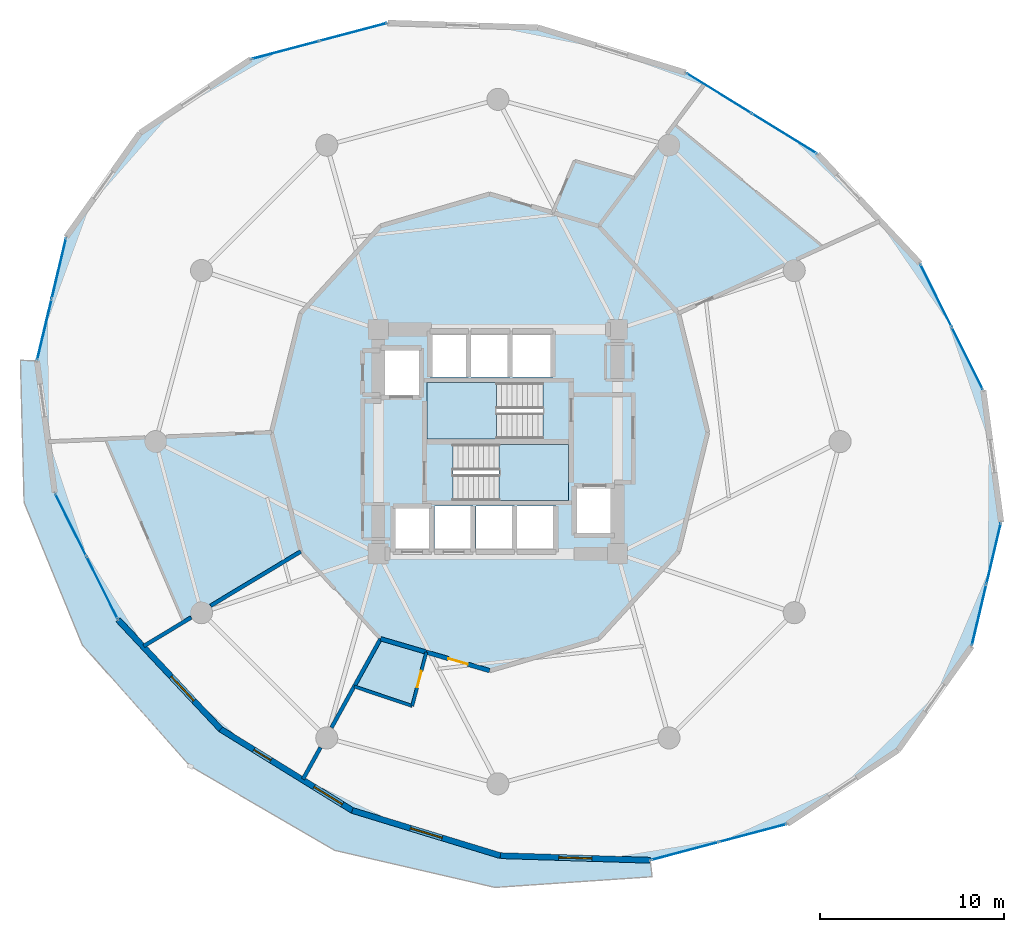
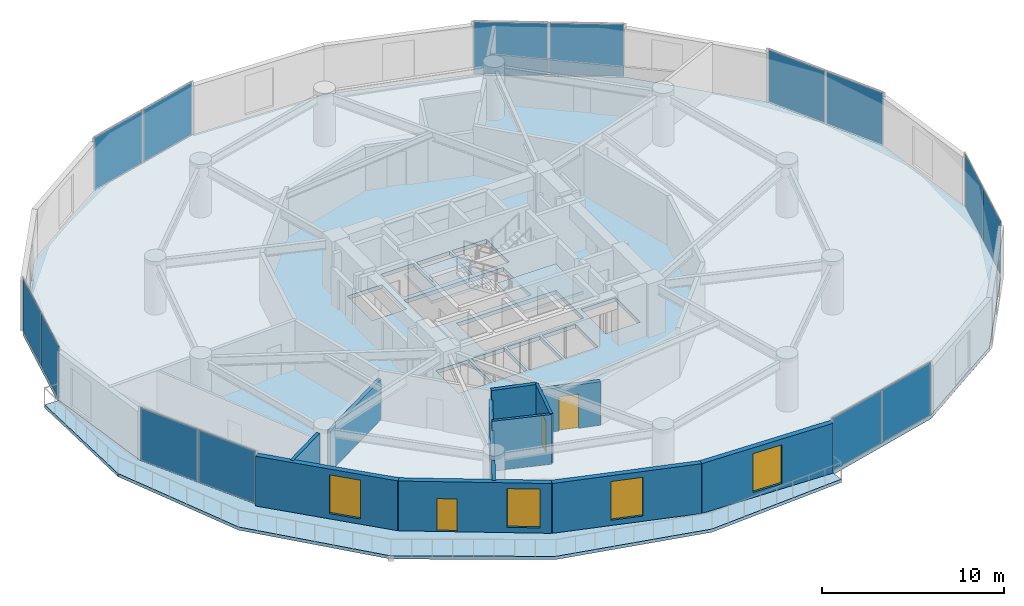
# One storey, part 18 of 24: 14 plates, 12 walls, 4 slabs, 4 windows, 3 doors, 7 openings, 9 elements without a shape of their own.
"""IFC4 building model written with IfcOpenShell, lengths in metres."""

from ifc_helpers import new_model, si_unit, direction, frame, frame_2d, origin, origin_2d, place, context, subcontext, project, spatial, polyline, rectangle, outline, extrude, source, transform, mapped, material, layer, layer_set, type_object, element, fill, aggregate, save


model = new_model("IFC4")

# Units and contexts
model_context = context("Model", 3, precision=1e-05, world=origin(), true_north=direction((0.0, 1.0)))
body_context = subcontext(model_context, "Body", "Model", "MODEL_VIEW")
ifc_project = project(units=[si_unit("LENGTHUNIT", "METRE"), si_unit("AREAUNIT", "SQUARE_METRE"), si_unit("VOLUMEUNIT", "CUBIC_METRE"), si_unit("PLANEANGLEUNIT", "RADIAN"), si_unit("MASSUNIT", "GRAM", prefix="KILO")], contexts=[model_context])

# Site, building, storey
site_placement = place(None, origin())
site = spatial("IfcSite", under=ifc_project, at=site_placement, CompositionType="ELEMENT")
building_placement = place(site_placement, origin())
building = spatial("IfcBuilding", under=site, at=building_placement, Name="Solvirekh Grand Hotel", CompositionType="ELEMENT")
storey_placement = place(building_placement, frame((0.0, 0.0, 86.0)))
storey = spatial("IfcBuildingStorey", under=building, at=storey_placement, Name="L21", CompositionType="ELEMENT", Elevation=86.0)

# Slab
ifc_material_1 = material(Name="Concrete C50/60", Category="concrete")
ifc_layer_1 = layer(ifc_material_1, 0.215087890625)
ifc_layer_set_1 = layer_set([ifc_layer_1], Name="Concrete C50/60")
slab_type_1 = type_object("IfcSlabType", Name="ExtCrescentBalc_215", PredefinedType="FLOOR", material=ifc_layer_set_1)
slab_1_placement = place(storey_placement, frame((0.0, 0.0, -0.215087890625)))
element("IfcSlab", 1, at=slab_1_placement, inside=storey, type_object=slab_type_1, Name="L21 sweeping crescent balcony slab", PredefinedType="FLOOR", context=body_context, shape_type="SweptSolid", body=[
    extrude(outline(polyline([(-25.948974609375, 4.4208984375), (-25.75, -3.31103515625), (-22.583984375, -11.0458984375), (-16.7109375, -17.64697265625), (-8.886962890625, -22.208984375), (-0.152099609375, -24.22900390625), (8.381103515625, -23.64892578125), (8.281982421875, -22.7548828125), (0.135986328125, -22.5029296875), (-7.909912109375, -20.048095703125), (-15.070068359375, -15.6298828125), (-20.64208984375, -9.68310546875), (-24.0810546875, -2.7880859375), (-25.050048828125, 4.3798828125), (-25.948974609375, 4.4208984375)])), origin(), (0.0, 0.0, 1.0), 0.215087890625),
])

# Stair, slab
ifc_material_2 = material(Name="Concrete C40/50", Category="concrete")
stair_type = type_object("IfcStairType", Name="Stair_Core_1450", PredefinedType="HALF_TURN_STAIR", material=ifc_material_2)
stair_1_placement = place(storey_placement, origin())
stair_1 = element("IfcStair", 2, at=stair_1_placement, inside=storey, type_object=stair_type, Name="L21 Enclosed exit stair ST-1", PredefinedType="HALF_TURN_STAIR")
ifc_layer_2 = layer(ifc_material_2, 0.199951171875)
ifc_layer_set_2 = layer_set([ifc_layer_2], Name="Concrete C40/50")
slab_type_2 = type_object("IfcSlabType", Name="Landing_Stair_200", PredefinedType="LANDING", material=ifc_layer_set_2)
slab_2_placement = place(storey_placement, frame((0.0, 0.0, 1.60009765625)))
slab_2 = element("IfcSlab", 3, at=slab_2_placement, type_object=slab_type_2, Name="ST-1 landing 1", PredefinedType="LANDING", context=body_context, shape_type="SweptSolid", body=[
    extrude(outline(polyline([(0.070068359375, -3.199951171875), (3.85009765625, -3.199951171875), (3.85009765625, -0.14990234375), (0.070068359375, -0.14990234375), (0.070068359375, -3.199951171875)])), origin(), (0.0, 0.0, 1.0), 0.199951171875),
])
aggregate(stair_1, [slab_2])

stair_2_placement = place(storey_placement, origin())
stair_2 = element("IfcStair", 4, at=stair_2_placement, inside=storey, type_object=stair_type, Name="L21 Enclosed exit stair ST-2", PredefinedType="HALF_TURN_STAIR")
slab_3_placement = place(storey_placement, frame((0.0, 0.0, 1.60009765625)))
slab_3 = element("IfcSlab", 5, at=slab_3_placement, type_object=slab_type_2, Name="ST-2 landing 1", PredefinedType="LANDING", context=body_context, shape_type="SweptSolid", body=[
    extrude(outline(polyline([(-0.070068359375, 3.199951171875), (-3.85009765625, 3.199951171875), (-3.85009765625, 0.14990234375), (-0.070068359375, 0.14990234375), (-0.070068359375, 3.199951171875)])), origin(), (0.0, 0.0, 1.0), 0.199951171875),
])
aggregate(stair_2, [slab_3])

# Slab
ifc_layer_3 = layer(ifc_material_1, 0.260009765625)
ifc_layer_set_3 = layer_set([ifc_layer_3], Name="Concrete C50/60")
slab_type_3 = type_object("IfcSlabType", Name="Slab_GuestZ1_260", PredefinedType="FLOOR", material=ifc_layer_set_3)
slab_4_placement = place(storey_placement, frame((0.0, 0.0, -0.260009765625)))
element("IfcSlab", 6, at=slab_4_placement, inside=storey, type_object=slab_type_3, Name="L21 structural floor slab", PredefinedType="FLOOR", context=body_context, shape_type="SweptSolid", body=[
    extrude(outline(polyline([(25.75390625, -11.118896484375), (27.35009765625, -4.3798828125), (26.381103515625, 2.7880859375), (22.94189453125, 9.68310546875), (17.3701171875, 15.6298828125), (10.2099609375, 20.048095703125), (2.1640625, 22.5029296875), (-5.98193359375, 22.7548828125), (-13.429931640625, 20.780029296875), (-19.449951171875, 16.77001953125), (-23.4541015625, 11.118896484375), (-25.050048828125, 4.3798828125), (-24.0810546875, -2.7880859375), (-20.64208984375, -9.68310546875), (-15.070068359375, -15.6298828125), (-7.909912109375, -20.048095703125), (0.135986328125, -22.5029296875), (8.281982421875, -22.7548828125), (15.72998046875, -20.780029296875), (21.75, -16.77001953125), (25.75390625, -11.118896484375)]), holes=[polyline([(-2.444091796875, -0.14990234375), (3.85009765625, -0.14990234375), (3.85009765625, -3.199951171875), (-2.444091796875, -3.199951171875), (-2.444091796875, -0.14990234375)]), polyline([(2.444091796875, 0.14990234375), (-3.85009765625, 0.14990234375), (-3.85009765625, 3.199951171875), (2.444091796875, 3.199951171875), (2.444091796875, 0.14990234375)]), polyline([(-5.699951171875, -3.5), (-3.60009765625, -3.5), (-3.60009765625, -6.0), (-5.699951171875, -6.0), (-5.699951171875, -3.5)]), polyline([(-3.449951171875, -3.5), (-1.35009765625, -3.5), (-1.35009765625, -6.0), (-3.449951171875, -6.0), (-3.449951171875, -3.5)]), polyline([(-1.199951171875, -3.5), (0.89990234375, -3.5), (0.89990234375, -6.0), (-1.199951171875, -6.0), (-1.199951171875, -3.5)]), polyline([(1.050048828125, -3.5), (3.14990234375, -3.5), (3.14990234375, -6.0), (1.050048828125, -6.0), (1.050048828125, -3.5)]), polyline([(-3.699951171875, 6.0), (-1.60009765625, 6.0), (-1.60009765625, 3.5), (-3.699951171875, 3.5), (-3.699951171875, 6.0)]), polyline([(-1.449951171875, 6.0), (0.64990234375, 6.0), (0.64990234375, 3.5), (-1.449951171875, 3.5), (-1.449951171875, 6.0)]), polyline([(0.800048828125, 6.0), (3.0, 6.0), (3.0, 3.5), (0.800048828125, 3.5), (0.800048828125, 6.0)]), polyline([(-6.35009765625, 5.10009765625), (-4.14990234375, 5.10009765625), (-4.14990234375, 2.39990234375), (-6.35009765625, 2.39990234375), (-6.35009765625, 5.10009765625)]), polyline([(4.14990234375, -2.39990234375), (6.35009765625, -2.39990234375), (6.35009765625, -5.10009765625), (4.14990234375, -5.10009765625), (4.14990234375, -2.39990234375)])]), origin(), (0.0, 0.0, 1.0), 0.260009765625),
])

# Curtain wall, plates
ifc_material_3 = material(Name="Anodized Bronze Aluminium 6063-T6", Category="aluminium")
ifc_layer_4 = layer(ifc_material_3, 0.18994140625)
ifc_layer_set_4 = layer_set([ifc_layer_4], Name="Anodized Bronze Aluminium 6063-T6")
curtain_wall_type = type_object("IfcCurtainWallType", Name="CW_Sys2_LowZoneFlushBronzeCW", PredefinedType="NOTDEFINED", material=ifc_layer_set_4)
curtain_wall_1_placement = place(storey_placement, origin())
curtain_wall_1 = element("IfcCurtainWall", 7, at=curtain_wall_1_placement, inside=storey, type_object=curtain_wall_type, Name="L21 unitised bronze-glass curtain wall CW-L21-C05", PredefinedType="NOTDEFINED")
ifc_material_4 = material(Name="Low-E Tinted Bronze Laminated Glass", Category="aluminium")
ifc_layer_5 = layer(ifc_material_4, 0.0380859375)
ifc_layer_set_5 = layer_set([ifc_layer_5], Name="Low-E Tinted Bronze Laminated Glass")
plate_type = type_object("IfcPlateType", Name="CWPanel_Low_38", PredefinedType="CURTAIN_PANEL", material=ifc_layer_set_5)
shared_shape_1 = source(origin(), body_context, "Body", "SweptSolid", [
    extrude(rectangle(XDim=4.1015625, YDim=0.0380859375, at=origin_2d()), origin(), (0.0, 0.0, 1.0), 3.47998046875),
])
plate_1_placement = place(storey_placement, frame((15.565185546875, 16.74365234375, 0.06005859375), z_axis=(0.0, 0.0, 1.0), x_axis=(-0.851029231931, 0.525118316572, 0.0)))
plate_1 = element("IfcPlate", 8, at=plate_1_placement, type_object=plate_type, Name="U02 panel 1.1", PredefinedType="CURTAIN_PANEL", context=body_context, shape_type="MappedRepresentation", body=[
    mapped(shared_shape_1, transform((0.0, 0.0, 0.0), x_axis=(1.0, 0.0, 0.0), y_axis=(0.0, 1.0, 0.0), z_axis=(0.0, 0.0, 1.0), scale=1.0)),
])
plate_2_placement = place(storey_placement, frame((12.014892578125, 18.934326171875, 0.06005859375), z_axis=(0.0, 0.0, 1.0), x_axis=(-0.851029231931, 0.525118316572, 0.0)))
plate_2 = element("IfcPlate", 9, at=plate_2_placement, type_object=plate_type, Name="U02 panel 2.1", PredefinedType="CURTAIN_PANEL", context=body_context, shape_type="MappedRepresentation", body=[
    mapped(shared_shape_1, transform((0.0, 0.0, 0.0), x_axis=(1.0, 0.0, 0.0), y_axis=(0.0, 1.0, 0.0), z_axis=(0.0, 0.0, 1.0), scale=1.0)),
])
aggregate(curtain_wall_1, [plate_1, plate_2])

curtain_wall_2_placement = place(storey_placement, origin())
curtain_wall_2 = element("IfcCurtainWall", 10, at=curtain_wall_2_placement, inside=storey, type_object=curtain_wall_type, Name="L21 unitised bronze-glass curtain wall CW-L21-C03", PredefinedType="NOTDEFINED")
shared_shape_2 = source(origin(), body_context, "Body", "SweptSolid", [
    extrude(rectangle(XDim=3.74755859375, YDim=0.0380859375, at=origin_2d()), origin(), (0.0, 0.0, 1.0), 3.47998046875),
])
plate_3_placement = place(storey_placement, frame((25.513427734375, 4.52734375, 0.06005859375), z_axis=(0.0, 0.0, 1.0), x_axis=(-0.44633083935, 0.89486802482, 0.0)))
plate_3 = element("IfcPlate", 11, at=plate_3_placement, type_object=plate_type, Name="U02 panel 1.1", PredefinedType="CURTAIN_PANEL", context=body_context, shape_type="MappedRepresentation", body=[
    mapped(shared_shape_2, transform((0.0, 0.0, 0.0), x_axis=(1.0, 0.0, 0.0), y_axis=(0.0, 1.0, 0.0), z_axis=(0.0, 0.0, 1.0), scale=1.0)),
])
plate_4_placement = place(storey_placement, frame((23.8095703125, 7.943603515625, 0.06005859375), z_axis=(0.0, 0.0, 1.0), x_axis=(-0.44633083935, 0.89486802482, 0.0)))
plate_4 = element("IfcPlate", 12, at=plate_4_placement, type_object=plate_type, Name="U02 panel 2.1", PredefinedType="CURTAIN_PANEL", context=body_context, shape_type="MappedRepresentation", body=[
    mapped(shared_shape_2, transform((0.0, 0.0, 0.0), x_axis=(1.0, 0.0, 0.0), y_axis=(0.0, 1.0, 0.0), z_axis=(0.0, 0.0, 1.0), scale=1.0)),
])
aggregate(curtain_wall_2, [plate_3, plate_4])

curtain_wall_3_placement = place(storey_placement, origin())
curtain_wall_3 = element("IfcCurtainWall", 13, at=curtain_wall_3_placement, inside=storey, type_object=curtain_wall_type, Name="L21 unitised bronze-glass curtain wall CW-L21-C13", PredefinedType="NOTDEFINED")
plate_5_placement = place(storey_placement, frame((-23.21337890625, -4.52734375, 0.06005859375), z_axis=(0.0, 0.0, 1.0), x_axis=(0.44633083935, -0.89486802482, 0.0)))
plate_5 = element("IfcPlate", 14, at=plate_5_placement, type_object=plate_type, Name="U02 panel 1.1", PredefinedType="CURTAIN_PANEL", context=body_context, shape_type="MappedRepresentation", body=[
    mapped(shared_shape_2, transform((0.0, 0.0, 0.0), x_axis=(1.0, 0.0, 0.0), y_axis=(0.0, 1.0, 0.0), z_axis=(0.0, 0.0, 1.0), scale=1.0)),
])
plate_6_placement = place(storey_placement, frame((-21.509521484375, -7.943603515625, 0.06005859375), z_axis=(0.0, 0.0, 1.0), x_axis=(0.44633083935, -0.89486802482, 0.0)))
plate_6 = element("IfcPlate", 15, at=plate_6_placement, type_object=plate_type, Name="U02 panel 2.1", PredefinedType="CURTAIN_PANEL", context=body_context, shape_type="MappedRepresentation", body=[
    mapped(shared_shape_2, transform((0.0, 0.0, 0.0), x_axis=(1.0, 0.0, 0.0), y_axis=(0.0, 1.0, 0.0), z_axis=(0.0, 0.0, 1.0), scale=1.0)),
])
aggregate(curtain_wall_3, [plate_5, plate_6])

curtain_wall_4_placement = place(storey_placement, origin())
curtain_wall_4 = element("IfcCurtainWall", 16, at=curtain_wall_4_placement, inside=storey, type_object=curtain_wall_type, Name="L21 unitised bronze-glass curtain wall CW-L21-C08", PredefinedType="NOTDEFINED")
shared_shape_3 = source(origin(), body_context, "Body", "SweptSolid", [
    extrude(rectangle(XDim=3.747802734375, YDim=0.0380859375, at=origin_2d()), origin(), (0.0, 0.0, 1.0), 3.47998046875),
])
plate_7_placement = place(storey_placement, frame((-7.86083984375, 22.2568359375, 0.06005859375), z_axis=(0.0, 0.0, 1.0), x_axis=(-0.966593717262, -0.256313452144, 0.0)))
plate_7 = element("IfcPlate", 17, at=plate_7_placement, type_object=plate_type, Name="U02 panel 1.1", PredefinedType="CURTAIN_PANEL", context=body_context, shape_type="MappedRepresentation", body=[
    mapped(shared_shape_3, transform((0.0, 0.0, 0.0), x_axis=(1.0, 0.0, 0.0), y_axis=(0.0, 1.0, 0.0), z_axis=(0.0, 0.0, 1.0), scale=1.0)),
])
plate_8_placement = place(storey_placement, frame((-11.551025390625, 21.2783203125, 0.06005859375), z_axis=(0.0, 0.0, 1.0), x_axis=(-0.966593717262, -0.256313452144, 0.0)))
plate_8 = element("IfcPlate", 18, at=plate_8_placement, type_object=plate_type, Name="U02 panel 2.1", PredefinedType="CURTAIN_PANEL", context=body_context, shape_type="MappedRepresentation", body=[
    mapped(shared_shape_3, transform((0.0, 0.0, 0.0), x_axis=(1.0, 0.0, 0.0), y_axis=(0.0, 1.0, 0.0), z_axis=(0.0, 0.0, 1.0), scale=1.0)),
])
aggregate(curtain_wall_4, [plate_7, plate_8])

curtain_wall_5_placement = place(storey_placement, origin())
curtain_wall_5 = element("IfcCurtainWall", 19, at=curtain_wall_5_placement, inside=storey, type_object=curtain_wall_type, Name="L21 unitised bronze-glass curtain wall CW-L21-C18", PredefinedType="NOTDEFINED")
plate_9_placement = place(storey_placement, frame((10.160888671875, -22.2568359375, 0.06005859375), z_axis=(0.0, 0.0, 1.0), x_axis=(0.966593717262, 0.256313452144, 0.0)))
plate_9 = element("IfcPlate", 20, at=plate_9_placement, type_object=plate_type, Name="U02 panel 1.1", PredefinedType="CURTAIN_PANEL", context=body_context, shape_type="MappedRepresentation", body=[
    mapped(shared_shape_3, transform((0.0, 0.0, 0.0), x_axis=(1.0, 0.0, 0.0), y_axis=(0.0, 1.0, 0.0), z_axis=(0.0, 0.0, 1.0), scale=1.0)),
])
plate_10_placement = place(storey_placement, frame((13.85107421875, -21.2783203125, 0.06005859375), z_axis=(0.0, 0.0, 1.0), x_axis=(0.966593717262, 0.256313452144, 0.0)))
plate_10 = element("IfcPlate", 21, at=plate_10_placement, type_object=plate_type, Name="U02 panel 2.1", PredefinedType="CURTAIN_PANEL", context=body_context, shape_type="MappedRepresentation", body=[
    mapped(shared_shape_3, transform((0.0, 0.0, 0.0), x_axis=(1.0, 0.0, 0.0), y_axis=(0.0, 1.0, 0.0), z_axis=(0.0, 0.0, 1.0), scale=1.0)),
])
aggregate(curtain_wall_5, [plate_9, plate_10])

curtain_wall_6_placement = place(storey_placement, origin())
curtain_wall_6 = element("IfcCurtainWall", 22, at=curtain_wall_6_placement, inside=storey, type_object=curtain_wall_type, Name="L21 unitised bronze-glass curtain wall CW-L21-C01", PredefinedType="NOTDEFINED")
shared_shape_4 = source(origin(), body_context, "Body", "SweptSolid", [
    extrude(rectangle(XDim=3.357666015625, YDim=0.0380859375, at=origin_2d()), origin(), (0.0, 0.0, 1.0), 3.47998046875),
])
plate_11_placement = place(storey_placement, frame((26.156982421875, -9.417236328125, 0.06005859375), z_axis=(0.0, 0.0, 1.0), x_axis=(0.230455589692, 0.973082843945, 0.0)))
plate_11 = element("IfcPlate", 23, at=plate_11_placement, type_object=plate_type, Name="U02 panel 1.1", PredefinedType="CURTAIN_PANEL", context=body_context, shape_type="MappedRepresentation", body=[
    mapped(shared_shape_4, transform((0.0, 0.0, 0.0), x_axis=(1.0, 0.0, 0.0), y_axis=(0.0, 1.0, 0.0), z_axis=(0.0, 0.0, 1.0), scale=1.0)),
])
plate_12_placement = place(storey_placement, frame((26.947021484375, -6.081787109375, 0.06005859375), z_axis=(0.0, 0.0, 1.0), x_axis=(0.230455589692, 0.973082843945, 0.0)))
plate_12 = element("IfcPlate", 24, at=plate_12_placement, type_object=plate_type, Name="U02 panel 2.1", PredefinedType="CURTAIN_PANEL", context=body_context, shape_type="MappedRepresentation", body=[
    mapped(shared_shape_4, transform((0.0, 0.0, 0.0), x_axis=(1.0, 0.0, 0.0), y_axis=(0.0, 1.0, 0.0), z_axis=(0.0, 0.0, 1.0), scale=1.0)),
])
aggregate(curtain_wall_6, [plate_11, plate_12])

curtain_wall_7_placement = place(storey_placement, origin())
curtain_wall_7 = element("IfcCurtainWall", 25, at=curtain_wall_7_placement, inside=storey, type_object=curtain_wall_type, Name="L21 unitised bronze-glass curtain wall CW-L21-C11", PredefinedType="NOTDEFINED")
plate_13_placement = place(storey_placement, frame((-23.85693359375, 9.417236328125, 0.06005859375), z_axis=(0.0, 0.0, 1.0), x_axis=(-0.230455589692, -0.973082843945, 0.0)))
plate_13 = element("IfcPlate", 26, at=plate_13_placement, type_object=plate_type, Name="U02 panel 1.1", PredefinedType="CURTAIN_PANEL", context=body_context, shape_type="MappedRepresentation", body=[
    mapped(shared_shape_4, transform((0.0, 0.0, 0.0), x_axis=(1.0, 0.0, 0.0), y_axis=(0.0, 1.0, 0.0), z_axis=(0.0, 0.0, 1.0), scale=1.0)),
])
plate_14_placement = place(storey_placement, frame((-24.64697265625, 6.081787109375, 0.06005859375), z_axis=(0.0, 0.0, 1.0), x_axis=(-0.230455589692, -0.973082843945, 0.0)))
plate_14 = element("IfcPlate", 27, at=plate_14_placement, type_object=plate_type, Name="U02 panel 2.1", PredefinedType="CURTAIN_PANEL", context=body_context, shape_type="MappedRepresentation", body=[
    mapped(shared_shape_4, transform((0.0, 0.0, 0.0), x_axis=(1.0, 0.0, 0.0), y_axis=(0.0, 1.0, 0.0), z_axis=(0.0, 0.0, 1.0), scale=1.0)),
])
aggregate(curtain_wall_7, [plate_13, plate_14])

# Wall, opening, window
ifc_material_5 = material(Name="Precast concrete C45/55", Category="concrete")
ifc_layer_6 = layer(ifc_material_5, 0.320068359375)
ifc_layer_set_6 = layer_set([ifc_layer_6], Name="Precast concrete C45/55")
wall_type_1 = type_object("IfcWallType", Name="ExtLobbyWall_RC320", PredefinedType="SOLIDWALL", material=ifc_layer_set_6)
wall_1_placement = place(storey_placement, frame((-15.070068359375, -15.6298828125, 0.0), z_axis=(0.0, 0.0, 1.0), x_axis=(-0.683739802552, 0.729725895393, 0.0)))
wall_1 = element("IfcWall", 28, at=wall_1_placement, inside=storey, type_object=wall_type_1, Name="L21 exterior structural wall chord 14", PredefinedType="SOLIDWALL", context=body_context, shape_type="SweptSolid", body=[
    extrude(rectangle(XDim=8.1494140625, YDim=0.320068359375, at=frame_2d((4.07470703125, 0.0))), origin(), (0.0, 0.0, 1.0), 3.340087890625),
])
opening_1_placement = place(wall_1_placement, frame((2.126953125, 0.0, 0.35009765625)))
opening_1 = element("IfcOpeningElement", 29, at=opening_1_placement, cuts=wall_1, Name="Opening W02", PredefinedType="OPENING", context=body_context, shape_type="SweptSolid", body=[
    extrude(rectangle(XDim=1.800048828125, YDim=2.60009765625, at=frame_2d((0.89990234375, 1.300048828125))), frame((0.0, 0.169921875, 0.0), z_axis=(0.0, -1.0, 0.0), x_axis=(1.0, 0.0, 0.0)), (0.0, 0.0, 1.0), 0.340087890625),
])
window_type = type_object("IfcWindowType", Name="Win_LobbyExt_1800X2600", PartitioningType="SINGLE_PANEL", PredefinedType="WINDOW", material=ifc_material_4)
window_1_placement = place(opening_1_placement, origin())
window_1 = element("IfcWindow", 30, at=window_1_placement, inside=storey, type_object=window_type, Name="L21 panoramic bronze-framed window 14", OverallHeight=2.60009765625, OverallWidth=1.800048828125, PartitioningType="SINGLE_PANEL", PredefinedType="WINDOW", context=body_context, shape_type="SweptSolid", body=[
    extrude(rectangle(XDim=1.800048828125, YDim=2.60009765625, at=frame_2d((0.89990234375, 1.300048828125))), frame((0.0, 0.030029296875, 0.0), z_axis=(0.0, -1.0, 0.0), x_axis=(1.0, 0.0, 0.0)), (0.0, 0.0, 1.0), 0.06005859375),
])
fill(opening_1, window_1)

# Wall, openings, door, window
wall_2_placement = place(storey_placement, frame((-7.909912109375, -20.048095703125, 0.0), z_axis=(0.0, 0.0, 1.0), x_axis=(-0.851023045081, 0.525128343113, 0.0)))
wall_2 = element("IfcWall", 31, at=wall_2_placement, inside=storey, type_object=wall_type_1, Name="L21 exterior structural wall chord 15", PredefinedType="SOLIDWALL", context=body_context, shape_type="SweptSolid", body=[
    extrude(rectangle(XDim=8.41357421875, YDim=0.320068359375, at=frame_2d((4.206787109375, 0.0))), origin(), (0.0, 0.0, 1.0), 3.340087890625),
])
opening_2_placement = place(wall_2_placement, frame((0.637939453125, 0.0, 0.35009765625)))
opening_2 = element("IfcOpeningElement", 32, at=opening_2_placement, cuts=wall_2, Name="Opening W02", PredefinedType="OPENING", context=body_context, shape_type="SweptSolid", body=[
    extrude(rectangle(XDim=1.800048828125, YDim=2.60009765625, at=frame_2d((0.89990234375, 1.300048828125))), frame((0.0, 0.169921875, 0.0), z_axis=(0.0, -1.0, 0.0), x_axis=(1.0, 0.0, 0.0)), (0.0, 0.0, 1.0), 0.340087890625),
])
opening_3_placement = place(wall_2_placement, frame((5.195068359375, 0.0, 0.0)))
opening_3 = element("IfcOpeningElement", 33, at=opening_3_placement, cuts=wall_2, Name="Opening D03", PredefinedType="OPENING", context=body_context, shape_type="SweptSolid", body=[
    extrude(rectangle(XDim=1.10009765625, YDim=2.199951171875, at=frame_2d((0.550048828125, 1.10009765625))), frame((0.0, 0.169921875, 0.0), z_axis=(0.0, -1.0, 0.0), x_axis=(1.0, 0.0, 0.0)), (0.0, 0.0, 1.0), 0.340087890625),
])
door_type_1 = type_object("IfcDoorType", Name="Door_ExtBalcony_1100X2200", OperationType="NOTDEFINED", PredefinedType="DOOR", material=ifc_material_3)
door_1_placement = place(opening_3_placement, origin())
door_1 = element("IfcDoor", 34, at=door_1_placement, inside=storey, type_object=door_type_1, Name="L21 Crescent balcony glazed door (15)", OperationType="SINGLE_SWING_LEFT", OverallHeight=2.199951171875, OverallWidth=1.10009765625, PredefinedType="DOOR", context=body_context, shape_type="SweptSolid", body=[
    extrude(rectangle(XDim=1.10009765625, YDim=2.199951171875, at=frame_2d((0.550048828125, 1.10009765625))), frame((0.0, 0.02490234375, 0.0), z_axis=(0.0, -1.0, 0.0), x_axis=(1.0, 0.0, 0.0)), (0.0, 0.0, 1.0), 0.050048828125),
])
fill(opening_3, door_1)
window_2_placement = place(opening_2_placement, origin())
window_2 = element("IfcWindow", 35, at=window_2_placement, inside=storey, type_object=window_type, Name="L21 exterior side window 15", OverallHeight=2.60009765625, OverallWidth=1.800048828125, PartitioningType="SINGLE_PANEL", PredefinedType="WINDOW", context=body_context, shape_type="SweptSolid", body=[
    extrude(rectangle(XDim=1.800048828125, YDim=2.60009765625, at=frame_2d((0.89990234375, 1.300048828125))), frame((0.0, 0.030029296875, 0.0), z_axis=(0.0, -1.0, 0.0), x_axis=(1.0, 0.0, 0.0)), (0.0, 0.0, 1.0), 0.06005859375),
])
fill(opening_2, window_2)

# Wall, opening, window
wall_3_placement = place(storey_placement, frame((0.135986328125, -22.5029296875, 0.0), z_axis=(0.0, 0.0, 1.0), x_axis=(-0.956472250056, 0.291823293917, 0.0)))
wall_3 = element("IfcWall", 36, at=wall_3_placement, inside=storey, type_object=wall_type_1, Name="L21 exterior structural wall chord 16", PredefinedType="SOLIDWALL", context=body_context, shape_type="SweptSolid", body=[
    extrude(rectangle(XDim=8.412109375, YDim=0.320068359375, at=frame_2d((4.2060546875, 0.0))), origin(), (0.0, 0.0, 1.0), 3.340087890625),
])
opening_4_placement = place(wall_3_placement, frame((3.305908203125, 0.0, 0.35009765625)))
opening_4 = element("IfcOpeningElement", 37, at=opening_4_placement, cuts=wall_3, Name="Opening W02", PredefinedType="OPENING", context=body_context, shape_type="SweptSolid", body=[
    extrude(rectangle(XDim=1.800048828125, YDim=2.60009765625, at=frame_2d((0.89990234375, 1.300048828125))), frame((0.0, 0.169921875, 0.0), z_axis=(0.0, -1.0, 0.0), x_axis=(1.0, 0.0, 0.0)), (0.0, 0.0, 1.0), 0.340087890625),
])
window_3_placement = place(opening_4_placement, origin())
window_3 = element("IfcWindow", 38, at=window_3_placement, inside=storey, type_object=window_type, Name="L21 panoramic bronze-framed window 16", OverallHeight=2.60009765625, OverallWidth=1.800048828125, PartitioningType="SINGLE_PANEL", PredefinedType="WINDOW", context=body_context, shape_type="SweptSolid", body=[
    extrude(rectangle(XDim=1.800048828125, YDim=2.60009765625, at=frame_2d((0.89990234375, 1.300048828125))), frame((0.0, 0.030029296875, 0.0), z_axis=(0.0, -1.0, 0.0), x_axis=(1.0, 0.0, 0.0)), (0.0, 0.0, 1.0), 0.06005859375),
])
fill(opening_4, window_3)

wall_4_placement = place(storey_placement, frame((8.281982421875, -22.7548828125, 0.0), z_axis=(0.0, 0.0, 1.0), x_axis=(-0.999522020088, 0.030914905135, 0.0)))
wall_4 = element("IfcWall", 39, at=wall_4_placement, inside=storey, type_object=wall_type_1, Name="L21 exterior structural wall chord 17", PredefinedType="SOLIDWALL", context=body_context, shape_type="SweptSolid", body=[
    extrude(rectangle(XDim=8.14990234375, YDim=0.320068359375, at=frame_2d((4.074951171875, 0.0))), origin(), (0.0, 0.0, 1.0), 3.340087890625),
])
opening_5_placement = place(wall_4_placement, frame((3.175048828125, 0.0, 0.35009765625)))
opening_5 = element("IfcOpeningElement", 40, at=opening_5_placement, cuts=wall_4, Name="Opening W02", PredefinedType="OPENING", context=body_context, shape_type="SweptSolid", body=[
    extrude(rectangle(XDim=1.800048828125, YDim=2.60009765625, at=frame_2d((0.89990234375, 1.300048828125))), frame((0.0, 0.169921875, 0.0), z_axis=(0.0, -1.0, 0.0), x_axis=(1.0, 0.0, 0.0)), (0.0, 0.0, 1.0), 0.340087890625),
])
window_4_placement = place(opening_5_placement, origin())
window_4 = element("IfcWindow", 41, at=window_4_placement, inside=storey, type_object=window_type, Name="L21 panoramic bronze-framed window 17", OverallHeight=2.60009765625, OverallWidth=1.800048828125, PartitioningType="SINGLE_PANEL", PredefinedType="WINDOW", context=body_context, shape_type="SweptSolid", body=[
    extrude(rectangle(XDim=1.800048828125, YDim=2.60009765625, at=frame_2d((0.89990234375, 1.300048828125))), frame((0.0, 0.030029296875, 0.0), z_axis=(0.0, -1.0, 0.0), x_axis=(1.0, 0.0, 0.0)), (0.0, 0.0, 1.0), 0.06005859375),
])
fill(opening_5, window_4)

# Wall
ifc_material_6 = material(Name="Acoustic Gypsum Partition Assembly")
ifc_layer_7 = layer(ifc_material_6, 0.239990234375)
ifc_layer_set_7 = layer_set([ifc_layer_7], Name="Acoustic Gypsum Partition Assembly")
wall_type_2 = type_object("IfcWallType", Name="Part_Corridor_240", PredefinedType="PARTITIONING", material=ifc_layer_set_7)
wall_5_placement = place(storey_placement, frame((-6.375, -10.715087890625, 0.0), z_axis=(0.0, 0.0, 1.0), x_axis=(0.959654395115, -0.281182221942, 0.0)))
element("IfcWall", 42, at=wall_5_placement, inside=storey, type_object=wall_type_2, Name="L21 En-suite Bathroom 2301 corridor backing wall", PredefinedType="PARTITIONING", context=body_context, shape_type="SweptSolid", body=[
    extrude(rectangle(XDim=2.592529296875, YDim=0.239990234375, at=frame_2d((1.29638671875, 0.0))), origin(), (0.0, 0.0, 1.0), 3.340087890625),
])

# Wall, opening, door
wall_6_placement = place(storey_placement, frame((-3.886962890625, -11.444091796875, 0.0), z_axis=(0.0, 0.0, 1.0), x_axis=(0.959744578907, -0.280874248124, 0.0)))
wall_6 = element("IfcWall", 43, at=wall_6_placement, inside=storey, type_object=wall_type_2, Name="L21 Presidential Suite 2301 Living Room entrance wall", PredefinedType="PARTITIONING", context=body_context, shape_type="SweptSolid", body=[
    extrude(rectangle(XDim=3.5810546875, YDim=0.239990234375, at=frame_2d((1.79052734375, 0.0))), origin(), (0.0, 0.0, 1.0), 2.9169921875),
])
opening_6_placement = place(wall_6_placement, frame((1.240966796875, 0.0, 0.0)))
opening_6 = element("IfcOpeningElement", 44, at=opening_6_placement, cuts=wall_6, Name="Opening D08", PredefinedType="OPENING", context=body_context, shape_type="SweptSolid", body=[
    extrude(rectangle(XDim=1.10009765625, YDim=2.300048828125, at=frame_2d((0.550048828125, 1.14990234375))), frame((0.0, 0.1298828125, 0.0), z_axis=(0.0, -1.0, 0.0), x_axis=(1.0, 0.0, 0.0)), (0.0, 0.0, 1.0), 0.260009765625),
])
ifc_material_7 = material(Name="Fire-Rated Steel Door Assembly", Category="steel")
door_type_2 = type_object("IfcDoorType", Name="Door_SuiteEntry_1100X2300", OperationType="NOTDEFINED", PredefinedType="DOOR", material=ifc_material_7)
door_2_placement = place(opening_6_placement, origin())
door_2 = element("IfcDoor", 45, at=door_2_placement, inside=storey, type_object=door_type_2, Name="L21 Presidential Suite 2301 Living Room entrance door", OperationType="SINGLE_SWING_RIGHT", OverallHeight=2.300048828125, OverallWidth=1.10009765625, PredefinedType="DOOR", context=body_context, shape_type="SweptSolid", body=[
    extrude(rectangle(XDim=1.10009765625, YDim=2.300048828125, at=frame_2d((0.550048828125, 1.14990234375))), frame((0.0, 0.02490234375, 0.0), z_axis=(0.0, -1.0, 0.0), x_axis=(1.0, 0.0, 0.0)), (0.0, 0.0, 1.0), 0.050048828125),
])
fill(opening_6, door_2)

# Walls
ifc_layer_8 = layer(ifc_material_6, 0.2099609375)
ifc_layer_set_8 = layer_set([ifc_layer_8], Name="Acoustic Gypsum Partition Assembly")
wall_type_3 = type_object("IfcWallType", Name="Part_SuiteDemise_210", PredefinedType="PARTITIONING", material=ifc_layer_set_8)
wall_7_placement = place(storey_placement, frame((-10.7119140625, -5.97509765625, 0.0), z_axis=(0.0, 0.0, 1.0), x_axis=(-0.856821988231, -0.515612335465, 0.0)))
element("IfcWall", 46, at=wall_7_placement, inside=storey, type_object=wall_type_3, Name="L21 suite radial wall 8 (A)", PredefinedType="PARTITIONING", context=body_context, shape_type="SweptSolid", body=[
    extrude(rectangle(XDim=5.72119140625, YDim=0.2099609375, at=frame_2d((2.860595703125, 0.0))), origin(), (0.0, 0.0, 1.0), 2.708984375),
])
wall_8_placement = place(storey_placement, frame((-16.669921875, -9.56103515625, 0.0), z_axis=(0.0, 0.0, 1.0), x_axis=(-0.856826644169, -0.515604598352, 0.0)))
element("IfcWall", 47, at=wall_8_placement, inside=storey, type_object=wall_type_3, Name="L21 suite radial wall 8 (B)", PredefinedType="PARTITIONING", context=body_context, shape_type="SweptSolid", body=[
    extrude(rectangle(XDim=3.010009765625, YDim=0.2099609375, at=frame_2d((1.5048828125, 0.0))), origin(), (0.0, 0.0, 1.0), 3.340087890625),
])
wall_9_placement = place(storey_placement, frame((-6.375, -10.715087890625, 0.0), z_axis=(0.0, 0.0, 1.0), x_axis=(-0.483601358844, -0.875288367182, 0.0)))
element("IfcWall", 48, at=wall_9_placement, inside=storey, type_object=wall_type_3, Name="L21 suite radial wall 9 (A)", PredefinedType="PARTITIONING", context=body_context, shape_type="SweptSolid", body=[
    extrude(rectangle(XDim=5.516845703125, YDim=0.2099609375, at=frame_2d((2.75830078125, 0.0))), origin(), (0.0, 0.0, 1.0), 2.708984375),
])
wall_10_placement = place(storey_placement, frame((-9.64111328125, -16.6259765625, 0.0), z_axis=(0.0, 0.0, 1.0), x_axis=(-0.48384887839, -0.875151565662, 0.0)))
element("IfcWall", 49, at=wall_10_placement, inside=storey, type_object=wall_type_3, Name="L21 suite radial wall 9 (B)", PredefinedType="PARTITIONING", context=body_context, shape_type="SweptSolid", body=[
    extrude(rectangle(XDim=1.96533203125, YDim=0.2099609375, at=frame_2d((0.982666015625, 0.0))), origin(), (0.0, 0.0, 1.0), 3.340087890625),
])
ifc_layer_9 = layer(ifc_material_6, 0.175048828125)
ifc_layer_set_9 = layer_set([ifc_layer_9], Name="Acoustic Gypsum Partition Assembly")
wall_type_4 = type_object("IfcWallType", Name="Plumb_Ensuite_175", PredefinedType="PLUMBINGWALL", material=ifc_layer_set_9)
wall_11_placement = place(storey_placement, frame((-7.80908203125, -13.31005859375, 0.0), z_axis=(0.0, 0.0, 1.0), x_axis=(0.947659066077, -0.319284034179, 0.0)))
element("IfcWall", 50, at=wall_11_placement, inside=storey, type_object=wall_type_4, Name="L21 En-suite Bathroom 2301 outer plumbing wall", PredefinedType="PLUMBINGWALL", context=body_context, shape_type="SweptSolid", body=[
    extrude(rectangle(XDim=3.329345703125, YDim=0.175048828125, at=frame_2d((1.66455078125, 0.0))), origin(), (0.0, 0.0, 1.0), 3.340087890625),
])

# Wall, opening, door
wall_12_placement = place(storey_placement, frame((-3.886962890625, -11.444091796875, 0.0), z_axis=(0.0, 0.0, 1.0), x_axis=(-0.253354001933, -0.967373635006, 0.0)))
wall_12 = element("IfcWall", 51, at=wall_12_placement, inside=storey, type_object=wall_type_4, Name="L21 En-suite Bathroom 2301 entry plumbing wall", PredefinedType="PLUMBINGWALL", context=body_context, shape_type="SweptSolid", body=[
    extrude(rectangle(XDim=3.02783203125, YDim=0.175048828125, at=frame_2d((1.513916015625, 0.0))), origin(), (0.0, 0.0, 1.0), 3.340087890625),
])
opening_7_placement = place(wall_12_placement, frame((1.06396484375, 0.0, 0.0)))
opening_7 = element("IfcOpeningElement", 52, at=opening_7_placement, cuts=wall_12, Name="Opening D09", PredefinedType="OPENING", context=body_context, shape_type="SweptSolid", body=[
    extrude(rectangle(XDim=0.89990234375, YDim=2.10009765625, at=frame_2d((0.449951171875, 1.050048828125))), frame((0.0, 0.09765625, 0.0), z_axis=(0.0, -1.0, 0.0), x_axis=(1.0, 0.0, 0.0)), (0.0, 0.0, 1.0), 0.195068359375),
])
door_type_3 = type_object("IfcDoorType", Name="Door_Ensuite_900X2100", OperationType="NOTDEFINED", PredefinedType="DOOR", material=ifc_material_3)
door_3_placement = place(opening_7_placement, origin())
door_3 = element("IfcDoor", 53, at=door_3_placement, inside=storey, type_object=door_type_3, Name="L21 En-suite Bathroom 2301 door", OperationType="SINGLE_SWING_LEFT", OverallHeight=2.10009765625, OverallWidth=0.89990234375, PredefinedType="DOOR", context=body_context, shape_type="SweptSolid", body=[
    extrude(rectangle(XDim=0.89990234375, YDim=2.10009765625, at=frame_2d((0.449951171875, 1.050048828125))), frame((0.0, 0.02490234375, 0.0), z_axis=(0.0, -1.0, 0.0), x_axis=(1.0, 0.0, 0.0)), (0.0, 0.0, 1.0), 0.050048828125),
])
fill(opening_7, door_3)

save(model, "model.ifc")
